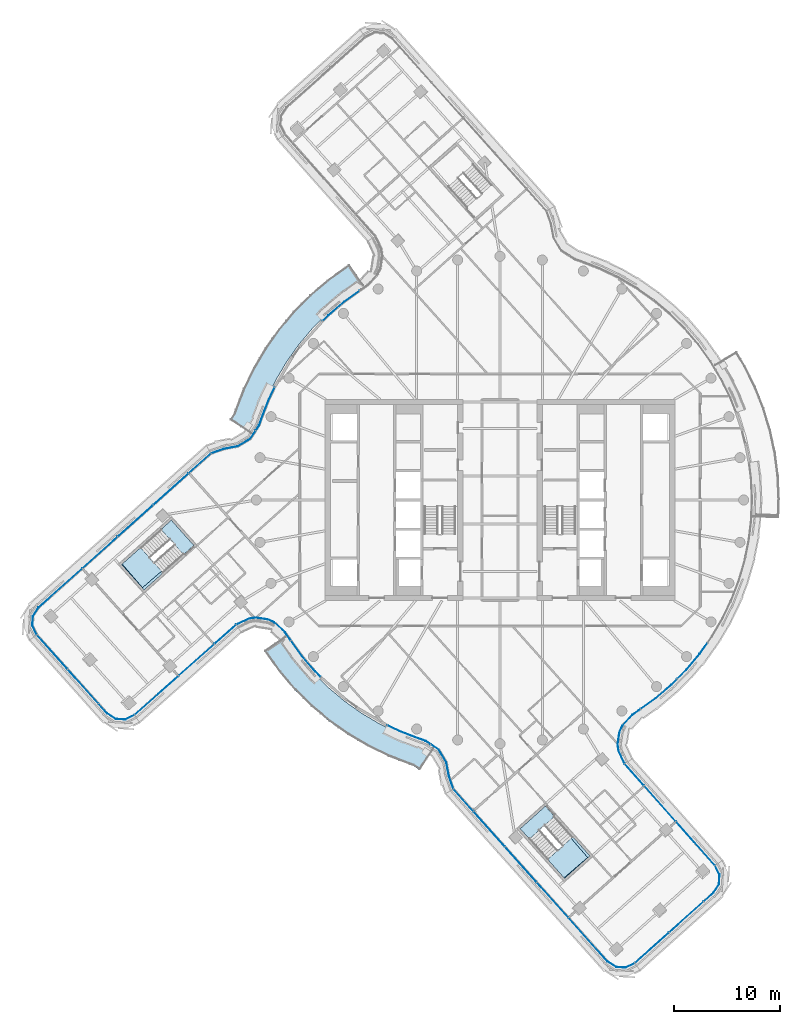
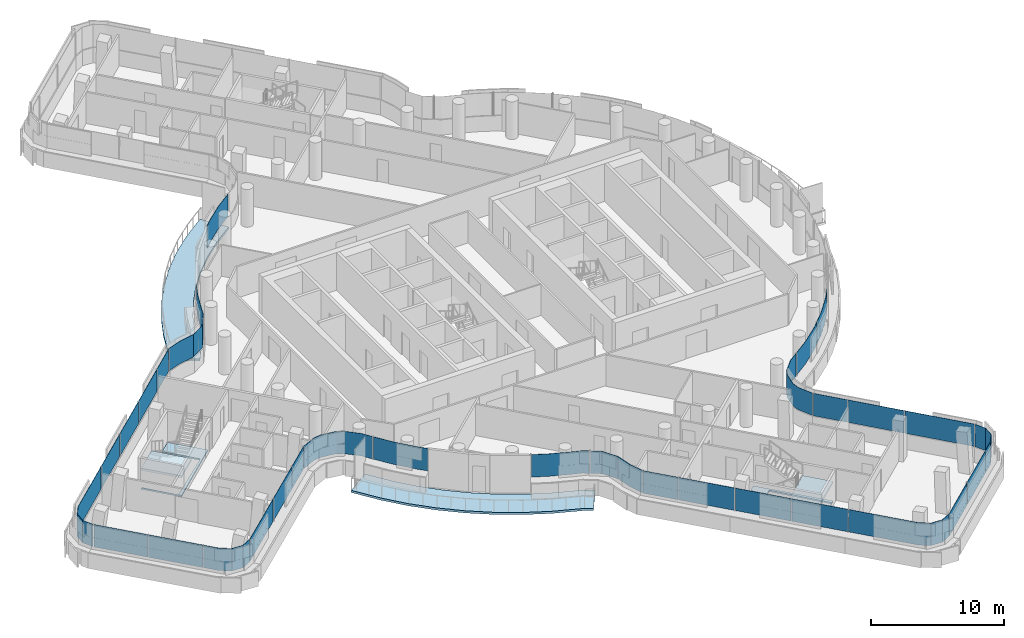
# One storey, part 18 of 33: 32 plates, 6 slabs, 11 elements without a shape of their own.
"""IFC4 building model written with IfcOpenShell, lengths in metres."""

from ifc_helpers import new_model, si_unit, direction, frame, origin, place, context, subcontext, project, spatial, polyline, outline, extrude, material, layer, layer_set, type_object, element, aggregate, save


model = new_model("IFC4")

# Units and contexts
model_context = context("Model", 3, precision=1e-05, world=origin(), true_north=direction((0.0, 1.0)))
body_context = subcontext(model_context, "Body", "Model", "MODEL_VIEW")
ifc_project = project(units=[si_unit("LENGTHUNIT", "METRE"), si_unit("AREAUNIT", "SQUARE_METRE"), si_unit("VOLUMEUNIT", "CUBIC_METRE"), si_unit("PLANEANGLEUNIT", "RADIAN"), si_unit("MASSUNIT", "GRAM", prefix="KILO")], contexts=[model_context])

# Site, building, storey
site_placement = place(None, origin())
site = spatial("IfcSite", under=ifc_project, at=site_placement, CompositionType="ELEMENT")
building_placement = place(site_placement, origin())
building = spatial("IfcBuilding", under=site, at=building_placement, Name="Tamarind Cross Interchange Tower", CompositionType="ELEMENT")
storey_placement = place(building_placement, frame((0.0, 0.0, 186.10009765625)))
storey = spatial("IfcBuildingStorey", under=building, at=storey_placement, Name="L46", CompositionType="ELEMENT", Elevation=186.10009765625)

# Slabs
ifc_material_1 = material(Name="Precast concrete C40", Category="concrete")
ifc_layer_1 = layer(ifc_material_1, 0.199951171875)
ifc_layer_set_1 = layer_set([ifc_layer_1], Name="Precast concrete C40")
slab_type_1 = type_object("IfcSlabType", Name="Balcony slab", PredefinedType="BASESLAB", material=ifc_layer_set_1)
slab_1_placement = place(storey_placement, frame((0.0, 0.0, -0.2001953125)))
element("IfcSlab", 1, at=slab_1_placement, inside=storey, type_object=slab_type_1, Name="SLB-L46-BAL02", PredefinedType="BASESLAB", context=body_context, shape_type="SweptSolid", body=[
    extrude(outline(polyline([(-20.238037109375, -12.91357421875), (-20.031982421875, -13.2109375), (-18.87255859375, -14.820068359375), (-17.584228515625, -16.327880859375), (-16.17578125, -17.72412109375), (-14.656982421875, -18.99951171875), (-13.0380859375, -20.14501953125), (-11.329833984375, -21.15283203125), (-9.54443359375, -22.01611328125), (-7.69384765625, -22.72900390625), (-7.11669921875, -22.9267578125), (-6.3134765625, -23.453125), (-7.629150390625, -25.46044921875), (-8.1796875, -25.099365234375), (-8.51416015625, -24.985107421875), (-10.499755859375, -24.219970703125), (-12.464111328125, -23.270263671875), (-14.343017578125, -22.161376953125), (-16.124267578125, -20.9013671875), (-17.795166015625, -19.498291015625), (-19.344482421875, -17.96240234375), (-20.76171875, -16.303466796875), (-21.99169921875, -14.596435546875), (-22.210205078125, -14.28173828125), (-20.238037109375, -12.91357421875)])), origin(), (0.0, 0.0, 1.0), 0.2001953125),
])
slab_2_placement = place(storey_placement, frame((0.0, 0.0, -0.2001953125)))
element("IfcSlab", 2, at=slab_2_placement, inside=storey, type_object=slab_type_1, Name="SLB-L46-BAL10", PredefinedType="BASESLAB", context=body_context, shape_type="SweptSolid", body=[
    extrude(outline(polyline([(-12.91357421875, 20.238037109375), (-13.2109375, 20.031982421875), (-14.820068359375, 18.87255859375), (-16.327880859375, 17.584228515625), (-17.72412109375, 16.17578125), (-18.99951171875, 14.656982421875), (-20.14501953125, 13.0380859375), (-21.15283203125, 11.329833984375), (-22.01611328125, 9.54443359375), (-22.72900390625, 7.69384765625), (-22.9267578125, 7.11669921875), (-23.453125, 6.3134765625), (-25.46044921875, 7.629150390625), (-25.099365234375, 8.1796875), (-24.985107421875, 8.51416015625), (-24.219970703125, 10.499755859375), (-23.270263671875, 12.464111328125), (-22.161376953125, 14.343017578125), (-20.9013671875, 16.124267578125), (-19.498291015625, 17.795166015625), (-17.96240234375, 19.344482421875), (-16.303466796875, 20.76171875), (-14.596435546875, 21.99169921875), (-14.28173828125, 22.210205078125), (-12.91357421875, 20.238037109375)])), origin(), (0.0, 0.0, 1.0), 0.2001953125),
])
ifc_material_2 = material(Name="Concrete C35", Category="concrete")
ifc_layer_2 = layer(ifc_material_2, 0.139892578125)
ifc_layer_set_2 = layer_set([ifc_layer_2], Name="Concrete C35")
slab_type_2 = type_object("IfcSlabType", Name="Composite slab 140 Concrete C35", PredefinedType="FLOOR", material=ifc_layer_set_2)
slab_3_placement = place(storey_placement, frame((0.0, 0.0, -0.14013671875)))
element("IfcSlab", 3, at=slab_3_placement, inside=storey, type_object=slab_type_2, Name="Floor slab L46", PredefinedType="FLOOR", context=body_context, shape_type="SweptSolid", body=[
    extrude(outline(polyline([(-35.727294921875, -6.100341796875), (-33.594482421875, -8.486083984375), (-28.897705078125, -4.28759765625), (-31.030029296875, -1.90185546875), (-32.00830078125, -2.776123046875), (-29.989013671875, -5.03515625), (-33.747314453125, -8.273193359375), (-35.66650390625, -6.0458984375), (-35.727294921875, -6.100341796875)])), origin(), (0.0, 0.0, 1.0), 0.14013671875),
])
slab_4_placement = place(storey_placement, frame((0.0, 0.0, -0.14013671875)))
element("IfcSlab", 4, at=slab_4_placement, inside=storey, type_object=slab_type_2, Name="Floor slab L46", PredefinedType="FLOOR", context=body_context, shape_type="SweptSolid", body=[
    extrude(outline(polyline([(6.100341796875, -35.727294921875), (8.486083984375, -33.594482421875), (4.28759765625, -28.897705078125), (1.90185546875, -31.030029296875), (2.776123046875, -32.00830078125), (5.03515625, -29.989013671875), (8.273193359375, -33.747314453125), (6.0458984375, -35.66650390625), (6.100341796875, -35.727294921875)])), origin(), (0.0, 0.0, 1.0), 0.14013671875),
])

# Stair, slab
ifc_material_3 = material(Name="Exit stair")
stair_type = type_object("IfcStairType", Name="Exit stair", PredefinedType="HALF_TURN_STAIR", material=ifc_material_3)
stair_1_placement = place(storey_placement, origin())
stair_1 = element("IfcStair", 5, at=stair_1_placement, inside=storey, type_object=stair_type, Name="L46 exit stair ST5", PredefinedType="HALF_TURN_STAIR")
ifc_material_4 = material(Name="Concrete C40", Category="concrete")
ifc_layer_3 = layer(ifc_material_4, 0.199951171875)
ifc_layer_set_3 = layer_set([ifc_layer_3], Name="Concrete C40")
slab_type_3 = type_object("IfcSlabType", Name="Stair landing", PredefinedType="LANDING", material=ifc_layer_set_3)
slab_5_placement = place(storey_placement, frame((0.0, 0.0, 1.599853515625)))
slab_5 = element("IfcSlab", 6, at=slab_5_placement, type_object=slab_type_3, Name="ST5 landing 1", PredefinedType="LANDING", context=body_context, shape_type="SweptSolid", body=[
    extrude(outline(polyline([(-33.928955078125, -4.492919921875), (-35.727294921875, -6.100341796875), (-33.5947265625, -8.486083984375), (-31.79638671875, -6.878662109375), (-33.928955078125, -4.492919921875)])), origin(), (0.0, 0.0, 1.0), 0.199951171875),
])
aggregate(stair_1, [slab_5])

stair_2_placement = place(storey_placement, origin())
stair_2 = element("IfcStair", 7, at=stair_2_placement, inside=storey, type_object=stair_type, Name="L46 exit stair ST6", PredefinedType="HALF_TURN_STAIR")
slab_6_placement = place(storey_placement, frame((0.0, 0.0, 1.599853515625)))
slab_6 = element("IfcSlab", 8, at=slab_6_placement, type_object=slab_type_3, Name="ST6 landing 1", PredefinedType="LANDING", context=body_context, shape_type="SweptSolid", body=[
    extrude(outline(polyline([(4.492919921875, -33.928955078125), (6.100341796875, -35.727294921875), (8.486083984375, -33.5947265625), (6.878662109375, -31.79638671875), (4.492919921875, -33.928955078125)])), origin(), (0.0, 0.0, 1.0), 0.199951171875),
])
aggregate(stair_2, [slab_6])

# Curtain wall, plates
ifc_material_5 = material(Name="Aluminium 6063-T6", Category="aluminium")
ifc_layer_4 = layer(ifc_material_5, 0.139892578125)
ifc_layer_set_4 = layer_set([ifc_layer_4], Name="Aluminium 6063-T6")
curtain_wall_type = type_object("IfcCurtainWallType", Name="Hotel curtain wall, 4.5 m bays", PredefinedType="NOTDEFINED", material=ifc_layer_set_4)
curtain_wall_1_placement = place(storey_placement, origin())
curtain_wall_1 = element("IfcCurtainWall", 9, at=curtain_wall_1_placement, inside=storey, type_object=curtain_wall_type, Name="CWS-L46-00", PredefinedType="NOTDEFINED")
ifc_material_6 = material(Name="Laminated low-e glass 6+1.52+6", Category="glass")
ifc_layer_5 = layer(ifc_material_6, 0.02392578125)
ifc_layer_set_5 = layer_set([ifc_layer_5], Name="Laminated low-e glass 6+1.52+6")
plate_type = type_object("IfcPlateType", Name="Vision panel CW2", PredefinedType="CURTAIN_PANEL", material=ifc_layer_set_5)
plate_1_placement = place(storey_placement, frame((0.0, 0.0, 1.39990234375)))
plate_1 = element("IfcPlate", 10, at=plate_1_placement, type_object=plate_type, Name="CWP-L46-00-00", PredefinedType="CURTAIN_PANEL", context=body_context, shape_type="SweptSolid", body=[
    extrude(outline(polyline([(-43.680908203125, -12.748779296875), (-40.824951171875, -15.944091796875), (-40.8427734375, -15.9599609375), (-43.698974609375, -12.764892578125), (-43.680908203125, -12.748779296875)])), origin(), (0.0, 0.0, 1.0), 2.06005859375),
])
plate_2_placement = place(storey_placement, frame((0.0, 0.0, 1.39990234375)))
plate_2 = element("IfcPlate", 11, at=plate_2_placement, type_object=plate_type, Name="CWP-L46-00-01", PredefinedType="CURTAIN_PANEL", context=body_context, shape_type="SweptSolid", body=[
    extrude(outline(polyline([(-40.784912109375, -15.98876953125), (-37.928955078125, -19.18408203125), (-37.94677734375, -19.199951171875), (-40.802734375, -16.0048828125), (-40.784912109375, -15.98876953125)])), origin(), (0.0, 0.0, 1.0), 2.06005859375),
])
plate_3_placement = place(storey_placement, frame((0.0, 0.0, 1.39990234375)))
plate_3 = element("IfcPlate", 12, at=plate_3_placement, type_object=plate_type, Name="CWP-L46-00-02", PredefinedType="CURTAIN_PANEL", context=body_context, shape_type="SweptSolid", body=[
    extrude(outline(polyline([(-37.888916015625, -19.228759765625), (-37.07275390625, -20.141845703125), (-36.277587890625, -20.662353515625), (-35.357421875, -20.7138671875), (-34.533935546875, -20.298095703125), (-34.52294921875, -20.319580078125), (-35.352294921875, -20.73828125), (-36.285400390625, -20.68603515625), (-37.088623046875, -20.16015625), (-37.90673828125, -19.244873046875), (-37.888916015625, -19.228759765625)])), origin(), (0.0, 0.0, 1.0), 2.06005859375),
])
aggregate(curtain_wall_1, [plate_1, plate_2, plate_3])

curtain_wall_2_placement = place(storey_placement, origin())
curtain_wall_2 = element("IfcCurtainWall", 13, at=curtain_wall_2_placement, inside=storey, type_object=curtain_wall_type, Name="CWS-L46-01", PredefinedType="NOTDEFINED")
plate_4_placement = place(storey_placement, frame((0.0, 0.0, 1.39990234375)))
plate_4 = element("IfcPlate", 14, at=plate_4_placement, type_object=plate_type, Name="CWP-L46-01-00", PredefinedType="CURTAIN_PANEL", context=body_context, shape_type="SweptSolid", body=[
    extrude(outline(polyline([(-34.4873046875, -20.266357421875), (-30.36376953125, -16.605224609375), (-30.347900390625, -16.623046875), (-34.47119140625, -20.284423828125), (-34.4873046875, -20.266357421875)])), origin(), (0.0, 0.0, 1.0), 2.06005859375),
])
plate_5_placement = place(storey_placement, frame((0.0, 0.0, 1.39990234375)))
plate_5 = element("IfcPlate", 15, at=plate_5_placement, type_object=plate_type, Name="CWP-L46-01-01", PredefinedType="CURTAIN_PANEL", context=body_context, shape_type="SweptSolid", body=[
    extrude(outline(polyline([(-30.31884765625, -16.5654296875), (-26.998046875, -13.61669921875), (-26.98193359375, -13.634765625), (-30.302978515625, -16.583251953125), (-30.31884765625, -16.5654296875)])), origin(), (0.0, 0.0, 1.0), 2.06005859375),
])
plate_6_placement = place(storey_placement, frame((0.0, 0.0, 1.39990234375)))
plate_6 = element("IfcPlate", 16, at=plate_6_placement, type_object=plate_type, Name="CWP-L46-01-02", PredefinedType="CURTAIN_PANEL", context=body_context, shape_type="SweptSolid", body=[
    extrude(outline(polyline([(-26.953125, -13.576904296875), (-24.9296875, -11.7802734375), (-24.913818359375, -11.79833984375), (-26.937255859375, -13.5947265625), (-26.953125, -13.576904296875)])), origin(), (0.0, 0.0, 1.0), 2.06005859375),
])
aggregate(curtain_wall_2, [plate_4, plate_5, plate_6])

curtain_wall_3_placement = place(storey_placement, origin())
curtain_wall_3 = element("IfcCurtainWall", 17, at=curtain_wall_3_placement, inside=storey, type_object=curtain_wall_type, Name="CWS-L46-02", PredefinedType="NOTDEFINED")
plate_7_placement = place(storey_placement, frame((0.0, 0.0, 1.39990234375)))
plate_7 = element("IfcPlate", 18, at=plate_7_placement, type_object=plate_type, Name="CWP-L46-02-00", PredefinedType="CURTAIN_PANEL", context=body_context, shape_type="SweptSolid", body=[
    extrude(outline(polyline([(-24.877197265625, -11.745849609375), (-23.67578125, -11.186767578125), (-23.052978515625, -11.097900390625), (-21.8583984375, -11.28076171875), (-21.29052734375, -11.552001953125), (-20.29345703125, -12.4619140625), (-19.85888671875, -13.08837890625), (-19.74755859375, -13.242919921875), (-19.766845703125, -13.257080078125), (-19.87841796875, -13.102294921875), (-20.311767578125, -12.477783203125), (-21.30419921875, -11.572265625), (-21.865478515625, -11.303955078125), (-23.052978515625, -11.1220703125), (-23.6689453125, -11.2099609375), (-24.866943359375, -11.767578125), (-24.877197265625, -11.745849609375)])), origin(), (0.0, 0.0, 1.0), 2.06005859375),
])
plate_8_placement = place(storey_placement, frame((0.0, 0.0, 1.39990234375)))
plate_8 = element("IfcPlate", 19, at=plate_8_placement, type_object=plate_type, Name="CWP-L46-02-01", PredefinedType="CURTAIN_PANEL", context=body_context, shape_type="SweptSolid", body=[
    extrude(outline(polyline([(-19.71240234375, -13.291748046875), (-18.705810546875, -14.68896484375), (-17.4287109375, -16.183349609375), (-16.915283203125, -16.692626953125), (-16.93212890625, -16.709716796875), (-17.4462890625, -16.19970703125), (-18.724609375, -14.703857421875), (-19.73193359375, -13.3056640625), (-19.71240234375, -13.291748046875)])), origin(), (0.0, 0.0, 1.0), 2.06005859375),
])
plate_9_placement = place(storey_placement, frame((0.0, 0.0, 1.39990234375)))
plate_9 = element("IfcPlate", 20, at=plate_9_placement, type_object=plate_type, Name="CWP-L46-02-03", PredefinedType="CURTAIN_PANEL", context=body_context, shape_type="SweptSolid", body=[
    extrude(outline(polyline([(-10.619384765625, -21.2607421875), (-9.4599609375, -21.821533203125), (-7.621337890625, -22.52978515625), (-7.022705078125, -22.734619140625), (-6.557861328125, -23.03955078125), (-6.571044921875, -23.0595703125), (-7.033447265625, -22.75634765625), (-7.62939453125, -22.552490234375), (-9.469482421875, -21.843505859375), (-10.6298828125, -21.282470703125), (-10.619384765625, -21.2607421875)])), origin(), (0.0, 0.0, 1.0), 2.06005859375),
])
plate_10_placement = place(storey_placement, frame((0.0, 0.0, 1.39990234375)))
plate_10 = element("IfcPlate", 21, at=plate_10_placement, type_object=plate_type, Name="CWP-L46-02-04", PredefinedType="CURTAIN_PANEL", context=body_context, shape_type="SweptSolid", body=[
    extrude(outline(polyline([(-6.507568359375, -23.072509765625), (-5.77197265625, -23.5546875), (-5.056396484375, -24.75146484375), (-4.804931640625, -26.079345703125), (-4.3935546875, -27.254638671875), (-4.416259765625, -27.262451171875), (-4.828125, -26.08544921875), (-5.079345703125, -24.760009765625), (-5.789794921875, -23.57177734375), (-6.520751953125, -23.092529296875), (-6.507568359375, -23.072509765625)])), origin(), (0.0, 0.0, 1.0), 2.06005859375),
])
aggregate(curtain_wall_3, [plate_7, plate_8, plate_9, plate_10])

curtain_wall_4_placement = place(storey_placement, origin())
curtain_wall_4 = element("IfcCurtainWall", 22, at=curtain_wall_4_placement, inside=storey, type_object=curtain_wall_type, Name="CWS-L46-03", PredefinedType="NOTDEFINED")
plate_11_placement = place(storey_placement, frame((0.0, 0.0, 1.39990234375)))
plate_11 = element("IfcPlate", 23, at=plate_11_placement, type_object=plate_type, Name="CWP-L46-03-00", PredefinedType="CURTAIN_PANEL", context=body_context, shape_type="SweptSolid", body=[
    extrude(outline(polyline([(-4.365966796875, -27.30126953125), (-2.527587890625, -29.35791015625), (-2.545654296875, -29.373779296875), (-4.3837890625, -27.317138671875), (-4.365966796875, -27.30126953125)])), origin(), (0.0, 0.0, 1.0), 2.06005859375),
])
plate_12_placement = place(storey_placement, frame((0.0, 0.0, 1.39990234375)))
plate_12 = element("IfcPlate", 24, at=plate_12_placement, type_object=plate_type, Name="CWP-L46-03-01", PredefinedType="CURTAIN_PANEL", context=body_context, shape_type="SweptSolid", body=[
    extrude(outline(polyline([(-2.48779296875, -29.402587890625), (0.462158203125, -32.70263671875), (0.4443359375, -32.71875), (-2.505615234375, -29.41845703125), (-2.48779296875, -29.402587890625)])), origin(), (0.0, 0.0, 1.0), 2.06005859375),
])
plate_13_placement = place(storey_placement, frame((0.0, 0.0, 1.39990234375)))
plate_13 = element("IfcPlate", 25, at=plate_13_placement, type_object=plate_type, Name="CWP-L46-03-02", PredefinedType="CURTAIN_PANEL", context=body_context, shape_type="SweptSolid", body=[
    extrude(outline(polyline([(0.502197265625, -32.74755859375), (3.4521484375, -36.047607421875), (3.43408203125, -36.063720703125), (0.484375, -32.763427734375), (0.502197265625, -32.74755859375)])), origin(), (0.0, 0.0, 1.0), 2.06005859375),
])
plate_14_placement = place(storey_placement, frame((0.0, 0.0, 1.39990234375)))
plate_14 = element("IfcPlate", 26, at=plate_14_placement, type_object=plate_type, Name="CWP-L46-03-03", PredefinedType="CURTAIN_PANEL", context=body_context, shape_type="SweptSolid", body=[
    extrude(outline(polyline([(3.4921875, -36.09228515625), (6.44189453125, -39.392578125), (6.424072265625, -39.40869140625), (3.47412109375, -36.1083984375), (3.4921875, -36.09228515625)])), origin(), (0.0, 0.0, 1.0), 2.06005859375),
])
plate_15_placement = place(storey_placement, frame((0.0, 0.0, 1.39990234375)))
plate_15 = element("IfcPlate", 27, at=plate_15_placement, type_object=plate_type, Name="CWP-L46-03-04", PredefinedType="CURTAIN_PANEL", context=body_context, shape_type="SweptSolid", body=[
    extrude(outline(polyline([(6.48193359375, -39.437255859375), (10.16357421875, -43.55615234375), (10.958984375, -44.076904296875), (11.879150390625, -44.12841796875), (12.702392578125, -43.712646484375), (12.713134765625, -43.734130859375), (11.88427734375, -44.15283203125), (10.951171875, -44.100341796875), (10.147705078125, -43.574462890625), (6.464111328125, -39.453369140625), (6.48193359375, -39.437255859375)])), origin(), (0.0, 0.0, 1.0), 2.06005859375),
])
aggregate(curtain_wall_4, [plate_11, plate_12, plate_13, plate_14, plate_15])

curtain_wall_5_placement = place(storey_placement, origin())
curtain_wall_5 = element("IfcCurtainWall", 28, at=curtain_wall_5_placement, inside=storey, type_object=curtain_wall_type, Name="CWS-L46-04", PredefinedType="NOTDEFINED")
plate_16_placement = place(storey_placement, frame((0.0, 0.0, 1.39990234375)))
plate_16 = element("IfcPlate", 29, at=plate_16_placement, type_object=plate_type, Name="CWP-L46-04-00", PredefinedType="CURTAIN_PANEL", context=body_context, shape_type="SweptSolid", body=[
    extrude(outline(polyline([(12.748779296875, -43.680908203125), (15.944091796875, -40.824951171875), (15.9599609375, -40.8427734375), (12.764892578125, -43.698974609375), (12.748779296875, -43.680908203125)])), origin(), (0.0, 0.0, 1.0), 2.06005859375),
])
plate_17_placement = place(storey_placement, frame((0.0, 0.0, 1.39990234375)))
plate_17 = element("IfcPlate", 30, at=plate_17_placement, type_object=plate_type, Name="CWP-L46-04-01", PredefinedType="CURTAIN_PANEL", context=body_context, shape_type="SweptSolid", body=[
    extrude(outline(polyline([(15.98876953125, -40.784912109375), (19.18408203125, -37.928955078125), (19.199951171875, -37.94677734375), (16.0048828125, -40.802734375), (15.98876953125, -40.784912109375)])), origin(), (0.0, 0.0, 1.0), 2.06005859375),
])
plate_18_placement = place(storey_placement, frame((0.0, 0.0, 1.39990234375)))
plate_18 = element("IfcPlate", 31, at=plate_18_placement, type_object=plate_type, Name="CWP-L46-04-02", PredefinedType="CURTAIN_PANEL", context=body_context, shape_type="SweptSolid", body=[
    extrude(outline(polyline([(19.228759765625, -37.888916015625), (20.141845703125, -37.07275390625), (20.662353515625, -36.277587890625), (20.7138671875, -35.357421875), (20.298095703125, -34.533935546875), (20.319580078125, -34.52294921875), (20.73828125, -35.352294921875), (20.68603515625, -36.285400390625), (20.16015625, -37.088623046875), (19.244873046875, -37.90673828125), (19.228759765625, -37.888916015625)])), origin(), (0.0, 0.0, 1.0), 2.06005859375),
])
aggregate(curtain_wall_5, [plate_16, plate_17, plate_18])

curtain_wall_6_placement = place(storey_placement, origin())
curtain_wall_6 = element("IfcCurtainWall", 32, at=curtain_wall_6_placement, inside=storey, type_object=curtain_wall_type, Name="CWS-L46-05", PredefinedType="NOTDEFINED")
plate_19_placement = place(storey_placement, frame((0.0, 0.0, 1.39990234375)))
plate_19 = element("IfcPlate", 33, at=plate_19_placement, type_object=plate_type, Name="CWP-L46-05-00", PredefinedType="CURTAIN_PANEL", context=body_context, shape_type="SweptSolid", body=[
    extrude(outline(polyline([(20.266357421875, -34.4873046875), (16.605224609375, -30.36376953125), (16.623046875, -30.347900390625), (20.284423828125, -34.47119140625), (20.266357421875, -34.4873046875)])), origin(), (0.0, 0.0, 1.0), 2.06005859375),
])
plate_20_placement = place(storey_placement, frame((0.0, 0.0, 1.39990234375)))
plate_20 = element("IfcPlate", 34, at=plate_20_placement, type_object=plate_type, Name="CWP-L46-05-01", PredefinedType="CURTAIN_PANEL", context=body_context, shape_type="SweptSolid", body=[
    extrude(outline(polyline([(16.5654296875, -30.31884765625), (13.61669921875, -26.998046875), (13.634765625, -26.98193359375), (16.583251953125, -30.302978515625), (16.5654296875, -30.31884765625)])), origin(), (0.0, 0.0, 1.0), 2.06005859375),
])
plate_21_placement = place(storey_placement, frame((0.0, 0.0, 1.39990234375)))
plate_21 = element("IfcPlate", 35, at=plate_21_placement, type_object=plate_type, Name="CWP-L46-05-02", PredefinedType="CURTAIN_PANEL", context=body_context, shape_type="SweptSolid", body=[
    extrude(outline(polyline([(13.576904296875, -26.953125), (11.7802734375, -24.9296875), (11.79833984375, -24.913818359375), (13.5947265625, -26.937255859375), (13.576904296875, -26.953125)])), origin(), (0.0, 0.0, 1.0), 2.06005859375),
])
aggregate(curtain_wall_6, [plate_19, plate_20, plate_21])

curtain_wall_7_placement = place(storey_placement, origin())
curtain_wall_7 = element("IfcCurtainWall", 36, at=curtain_wall_7_placement, inside=storey, type_object=curtain_wall_type, Name="CWS-L46-06", PredefinedType="NOTDEFINED")
plate_22_placement = place(storey_placement, frame((0.0, 0.0, 1.39990234375)))
plate_22 = element("IfcPlate", 37, at=plate_22_placement, type_object=plate_type, Name="CWP-L46-06-00", PredefinedType="CURTAIN_PANEL", context=body_context, shape_type="SweptSolid", body=[
    extrude(outline(polyline([(11.745849609375, -24.877197265625), (11.186767578125, -23.67578125), (11.097900390625, -23.052978515625), (11.28076171875, -21.8583984375), (11.552001953125, -21.29052734375), (12.4619140625, -20.29345703125), (13.08837890625, -19.85888671875), (13.242919921875, -19.74755859375), (13.257080078125, -19.766845703125), (13.102294921875, -19.87841796875), (12.477783203125, -20.311767578125), (11.572265625, -21.30419921875), (11.303955078125, -21.865478515625), (11.1220703125, -23.052978515625), (11.2099609375, -23.6689453125), (11.767578125, -24.866943359375), (11.745849609375, -24.877197265625)])), origin(), (0.0, 0.0, 1.0), 2.06005859375),
])
plate_23_placement = place(storey_placement, frame((0.0, 0.0, 1.39990234375)))
plate_23 = element("IfcPlate", 38, at=plate_23_placement, type_object=plate_type, Name="CWP-L46-06-01", PredefinedType="CURTAIN_PANEL", context=body_context, shape_type="SweptSolid", body=[
    extrude(outline(polyline([(13.291748046875, -19.71240234375), (14.68896484375, -18.705810546875), (16.183349609375, -17.4287109375), (16.692626953125, -16.915283203125), (16.709716796875, -16.93212890625), (16.19970703125, -17.4462890625), (14.703857421875, -18.724609375), (13.3056640625, -19.73193359375), (13.291748046875, -19.71240234375)])), origin(), (0.0, 0.0, 1.0), 2.06005859375),
])
plate_24_placement = place(storey_placement, frame((0.0, 0.0, 1.39990234375)))
plate_24 = element("IfcPlate", 39, at=plate_24_placement, type_object=plate_type, Name="CWP-L46-06-02", PredefinedType="CURTAIN_PANEL", context=body_context, shape_type="SweptSolid", body=[
    extrude(outline(polyline([(16.73486328125, -16.87255859375), (17.5673828125, -16.032958984375), (18.83154296875, -14.52734375), (19.557373046875, -13.50146484375), (19.576904296875, -13.51513671875), (18.850341796875, -14.5419921875), (17.585205078125, -16.049072265625), (16.751953125, -16.8896484375), (16.73486328125, -16.87255859375)])), origin(), (0.0, 0.0, 1.0), 2.06005859375),
])
aggregate(curtain_wall_7, [plate_22, plate_23, plate_24])

curtain_wall_8_placement = place(storey_placement, origin())
curtain_wall_8 = element("IfcCurtainWall", 40, at=curtain_wall_8_placement, inside=storey, type_object=curtain_wall_type, Name="CWS-L46-10", PredefinedType="NOTDEFINED")
plate_25_placement = place(storey_placement, frame((0.0, 0.0, 1.39990234375)))
plate_25 = element("IfcPlate", 41, at=plate_25_placement, type_object=plate_type, Name="CWP-L46-10-01", PredefinedType="CURTAIN_PANEL", context=body_context, shape_type="SweptSolid", body=[
    extrude(outline(polyline([(-13.291748046875, 19.71240234375), (-14.68896484375, 18.705810546875), (-16.183349609375, 17.4287109375), (-16.692626953125, 16.915283203125), (-16.709716796875, 16.93212890625), (-16.19970703125, 17.4462890625), (-14.703857421875, 18.724609375), (-13.3056640625, 19.73193359375), (-13.291748046875, 19.71240234375)])), origin(), (0.0, 0.0, 1.0), 2.06005859375),
])
plate_26_placement = place(storey_placement, frame((0.0, 0.0, 1.39990234375)))
plate_26 = element("IfcPlate", 42, at=plate_26_placement, type_object=plate_type, Name="CWP-L46-10-03", PredefinedType="CURTAIN_PANEL", context=body_context, shape_type="SweptSolid", body=[
    extrude(outline(polyline([(-21.2607421875, 10.619384765625), (-21.821533203125, 9.4599609375), (-22.52978515625, 7.621337890625), (-22.734619140625, 7.022705078125), (-23.03955078125, 6.557861328125), (-23.0595703125, 6.571044921875), (-22.75634765625, 7.033447265625), (-22.552490234375, 7.62939453125), (-21.843505859375, 9.469482421875), (-21.282470703125, 10.6298828125), (-21.2607421875, 10.619384765625)])), origin(), (0.0, 0.0, 1.0), 2.06005859375),
])
plate_27_placement = place(storey_placement, frame((0.0, 0.0, 1.39990234375)))
plate_27 = element("IfcPlate", 43, at=plate_27_placement, type_object=plate_type, Name="CWP-L46-10-04", PredefinedType="CURTAIN_PANEL", context=body_context, shape_type="SweptSolid", body=[
    extrude(outline(polyline([(-23.072509765625, 6.507568359375), (-23.5546875, 5.77197265625), (-24.75146484375, 5.056396484375), (-26.079345703125, 4.804931640625), (-27.254638671875, 4.3935546875), (-27.262451171875, 4.416259765625), (-26.08544921875, 4.828125), (-24.760009765625, 5.079345703125), (-23.57177734375, 5.789794921875), (-23.092529296875, 6.520751953125), (-23.072509765625, 6.507568359375)])), origin(), (0.0, 0.0, 1.0), 2.06005859375),
])
aggregate(curtain_wall_8, [plate_25, plate_26, plate_27])

curtain_wall_9_placement = place(storey_placement, origin())
curtain_wall_9 = element("IfcCurtainWall", 44, at=curtain_wall_9_placement, inside=storey, type_object=curtain_wall_type, Name="CWS-L46-11", PredefinedType="NOTDEFINED")
plate_28_placement = place(storey_placement, frame((0.0, 0.0, 1.39990234375)))
plate_28 = element("IfcPlate", 45, at=plate_28_placement, type_object=plate_type, Name="CWP-L46-11-00", PredefinedType="CURTAIN_PANEL", context=body_context, shape_type="SweptSolid", body=[
    extrude(outline(polyline([(-27.30126953125, 4.365966796875), (-29.35791015625, 2.527587890625), (-29.373779296875, 2.545654296875), (-27.317138671875, 4.3837890625), (-27.30126953125, 4.365966796875)])), origin(), (0.0, 0.0, 1.0), 2.06005859375),
])
plate_29_placement = place(storey_placement, frame((0.0, 0.0, 1.39990234375)))
plate_29 = element("IfcPlate", 46, at=plate_29_placement, type_object=plate_type, Name="CWP-L46-11-01", PredefinedType="CURTAIN_PANEL", context=body_context, shape_type="SweptSolid", body=[
    extrude(outline(polyline([(-29.402587890625, 2.48779296875), (-32.70263671875, -0.462158203125), (-32.71875, -0.4443359375), (-29.41845703125, 2.505615234375), (-29.402587890625, 2.48779296875)])), origin(), (0.0, 0.0, 1.0), 2.06005859375),
])
plate_30_placement = place(storey_placement, frame((0.0, 0.0, 1.39990234375)))
plate_30 = element("IfcPlate", 47, at=plate_30_placement, type_object=plate_type, Name="CWP-L46-11-02", PredefinedType="CURTAIN_PANEL", context=body_context, shape_type="SweptSolid", body=[
    extrude(outline(polyline([(-32.74755859375, -0.502197265625), (-36.047607421875, -3.4521484375), (-36.063720703125, -3.43408203125), (-32.763427734375, -0.484375), (-32.74755859375, -0.502197265625)])), origin(), (0.0, 0.0, 1.0), 2.06005859375),
])
plate_31_placement = place(storey_placement, frame((0.0, 0.0, 1.39990234375)))
plate_31 = element("IfcPlate", 48, at=plate_31_placement, type_object=plate_type, Name="CWP-L46-11-03", PredefinedType="CURTAIN_PANEL", context=body_context, shape_type="SweptSolid", body=[
    extrude(outline(polyline([(-36.09228515625, -3.4921875), (-39.392578125, -6.44189453125), (-39.40869140625, -6.424072265625), (-36.1083984375, -3.47412109375), (-36.09228515625, -3.4921875)])), origin(), (0.0, 0.0, 1.0), 2.06005859375),
])
plate_32_placement = place(storey_placement, frame((0.0, 0.0, 1.39990234375)))
plate_32 = element("IfcPlate", 49, at=plate_32_placement, type_object=plate_type, Name="CWP-L46-11-04", PredefinedType="CURTAIN_PANEL", context=body_context, shape_type="SweptSolid", body=[
    extrude(outline(polyline([(-39.437255859375, -6.48193359375), (-43.55615234375, -10.16357421875), (-44.076904296875, -10.958984375), (-44.12841796875, -11.879150390625), (-43.712646484375, -12.702392578125), (-43.734130859375, -12.713134765625), (-44.15283203125, -11.88427734375), (-44.100341796875, -10.951171875), (-43.574462890625, -10.147705078125), (-39.453369140625, -6.464111328125), (-39.437255859375, -6.48193359375)])), origin(), (0.0, 0.0, 1.0), 2.06005859375),
])
aggregate(curtain_wall_9, [plate_28, plate_29, plate_30, plate_31, plate_32])

save(model, "model.ifc")
